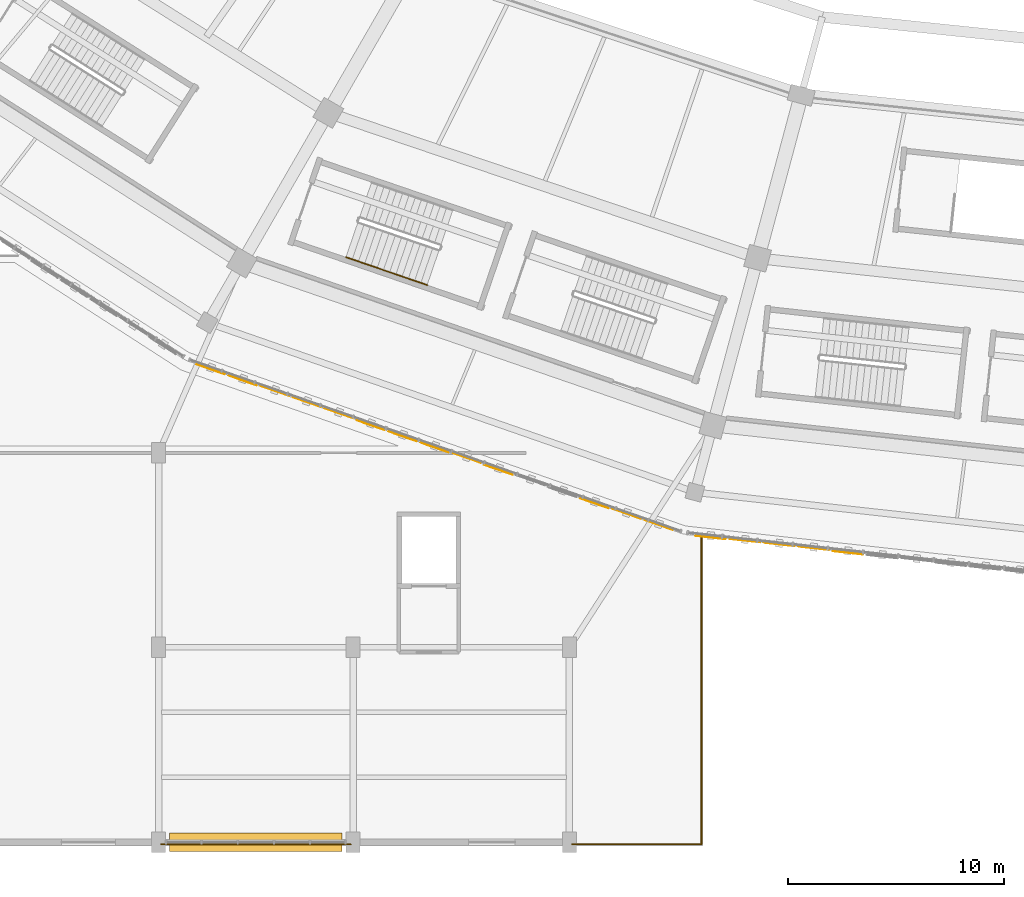
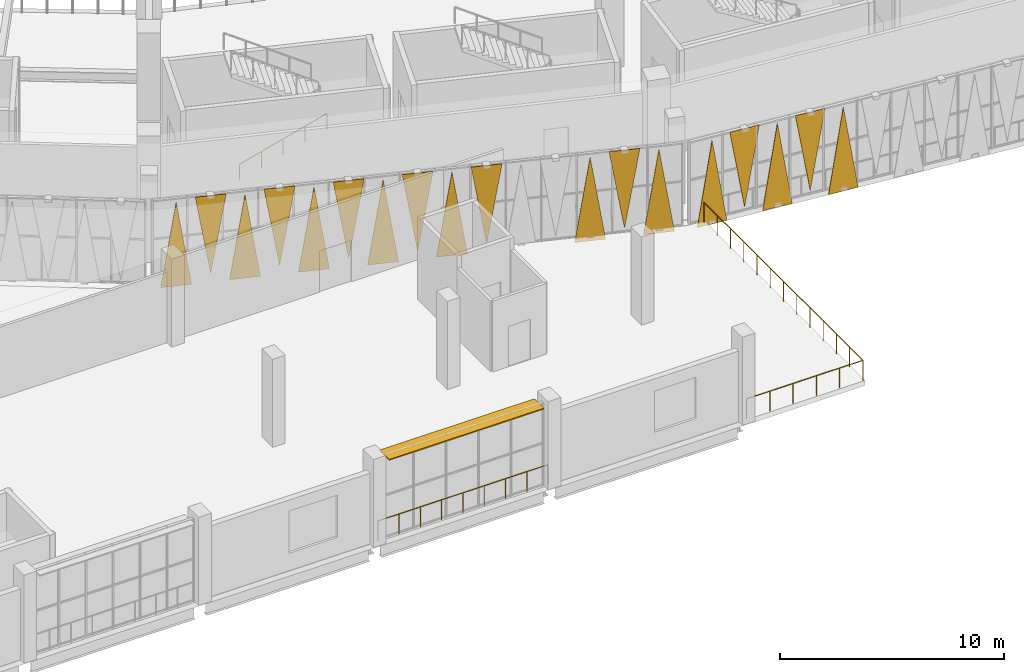
# One storey, part 131 of 179: 18 coverings, 4 railings, 1 shading device.
"""IFC4 building model written with IfcOpenShell, lengths in metres."""

from ifc_helpers import new_model, si_unit, direction, frame, origin, origin_2d, place, context, subcontext, project, spatial, polyline, rectangle, circle, outline, extrude, material, layer, layer_set, type_object, element, save


model = new_model("IFC4")

# Units and contexts
model_context = context("Model", 3, precision=1e-05, world=origin(), true_north=direction((0.0, 1.0)))
body_context = subcontext(model_context, "Body", "Model", "MODEL_VIEW")
ifc_project = project(units=[si_unit("LENGTHUNIT", "METRE"), si_unit("AREAUNIT", "SQUARE_METRE"), si_unit("VOLUMEUNIT", "CUBIC_METRE"), si_unit("PLANEANGLEUNIT", "RADIAN"), si_unit("MASSUNIT", "GRAM", prefix="KILO")], contexts=[model_context])

# Site, building, storey
site_placement = place(None, origin())
site = spatial("IfcSite", under=ifc_project, at=site_placement, CompositionType="ELEMENT")
building_placement = place(site_placement, origin())
building = spatial("IfcBuilding", under=site, at=building_placement, Name="Zevraka Park Crest Stadium", CompositionType="ELEMENT")
storey_placement = place(building_placement, frame((0.0, 0.0, 10.199951171875)))
storey = spatial("IfcBuildingStorey", under=building, at=storey_placement, Name="L02", CompositionType="ELEMENT", Elevation=10.199951171875)

# Coverings
ifc_material_1 = material(Name="Architectural golden-bronze perforated aluminium", Category="aluminium")
ifc_layer_1 = layer(ifc_material_1, 0.034912109375)
ifc_layer_set_1 = layer_set([ifc_layer_1], Name="Architectural golden-bronze perforated aluminium")
covering_type = type_object("IfcCoveringType", Name="CLD01", PredefinedType="CLADDING", material=ifc_layer_set_1)
covering_1_placement = place(storey_placement, frame((64.75, 22.110107421875, -0.239990234375), z_axis=(0.329321763981, 0.944217751341, 0.000117565237), x_axis=(0.944217757866, -0.329321766257, 0.0)))
element("IfcCovering", 1, at=covering_1_placement, inside=storey, type_object=covering_type, Name="Triangular Golden-Bronze Perforated Cladding L02-16-1", PredefinedType="CLADDING", context=body_context, shape_type="SweptSolid", body=[
    extrude(outline(polyline([(0.0, 0.0), (1.4063290467827976, 6.776263578034403e-21), (0.7034807864027698, -4.560058625263619), (0.0, 0.0)])), origin(), (0.0, 0.0, -1.0), 0.034912109375),
])
covering_2_placement = place(storey_placement, frame((67.556884765625, 21.1298828125, 4.47998046875), z_axis=(0.329940648786, 0.944001677406, 3.6504737e-05), x_axis=(-0.944001678035, 0.329940649006, 0.0)))
element("IfcCovering", 2, at=covering_2_placement, inside=storey, type_object=covering_type, Name="Triangular Golden-Bronze Perforated Cladding L02-16-2", PredefinedType="CLADDING", context=body_context, shape_type="SweptSolid", body=[
    extrude(outline(polyline([(0.0, 0.0), (1.4066509522935817, 3.3881317890172014e-21), (0.7032505175250832, -4.260009768463436), (0.0, 0.0)])), origin(), (0.0, 0.0, -1.0), 0.034912109375),
])
covering_3_placement = place(storey_placement, frame((67.7080078125, 21.077880859375, -0.239990234375), z_axis=(-0.329785968147, -0.944055726711, 8.828193e-06), x_axis=(0.944055726748, -0.32978596816, 0.0)))
element("IfcCovering", 3, at=covering_3_placement, inside=storey, type_object=covering_type, Name="Triangular Golden-Bronze Perforated Cladding L02-16-3", PredefinedType="CLADDING", context=body_context, shape_type="SweptSolid", body=[
    extrude(outline(polyline([(0.0, 0.0), (1.4065704192587192, 0.0), (0.7034004508069411, 4.560058593927699), (0.0, 0.0)])), origin(), (0.0, 0.0, -1.0), 0.034912109375),
])
covering_4_placement = place(storey_placement, frame((70.514892578125, 20.097900390625, 4.47998046875), z_axis=(-0.32932176541, -0.944217755437, 7.1732807e-05), x_axis=(-0.944217757866, 0.329321766257, 0.0)))
element("IfcCovering", 4, at=covering_4_placement, inside=storey, type_object=covering_type, Name="Triangular Golden-Bronze Perforated Cladding L02-16-4", PredefinedType="CLADDING", context=body_context, shape_type="SweptSolid", body=[
    extrude(outline(polyline([(0.0, 0.0), (1.4063290467827976, 0.0), (0.7029286612018679, 4.260009776585144), (0.0, 0.0)])), origin(), (0.0, 0.0, -1.0), 0.034912109375),
])
covering_5_placement = place(storey_placement, frame((70.666015625, 20.044921875, -0.239990234375), z_axis=(-0.329785968147, -0.944055726711, 8.828193e-06), x_axis=(0.944055726748, -0.32978596816, 0.0)))
element("IfcCovering", 5, at=covering_5_placement, inside=storey, type_object=covering_type, Name="Triangular Golden-Bronze Perforated Cladding L02-16-5", PredefinedType="CLADDING", context=body_context, shape_type="SweptSolid", body=[
    extrude(outline(polyline([(0.0, 0.0), (1.4065704192587192, 0.0), (0.7034004508069411, 4.560058593927699), (0.0, 0.0)])), origin(), (0.0, 0.0, -1.0), 0.034912109375),
])
covering_6_placement = place(storey_placement, frame((73.472900390625, 19.06494140625, 4.47998046875), z_axis=(0.329940648786, 0.944001677406, 3.6504737e-05), x_axis=(-0.944001678035, 0.329940649006, 0.0)))
element("IfcCovering", 6, at=covering_6_placement, inside=storey, type_object=covering_type, Name="Triangular Golden-Bronze Perforated Cladding L02-16-6", PredefinedType="CLADDING", context=body_context, shape_type="SweptSolid", body=[
    extrude(outline(polyline([(0.0, 0.0), (1.4066509522935817, 3.3881317890172014e-21), (0.7032505175250832, -4.260009768463436), (0.0, 0.0)])), origin(), (0.0, 0.0, -1.0), 0.034912109375),
])
covering_7_placement = place(storey_placement, frame((73.6240234375, 19.011962890625, -0.239990234375), z_axis=(0.329166977788, 0.944271725837, 9.2298959e-05), x_axis=(0.944271729859, -0.32916697919, 0.0)))
element("IfcCovering", 7, at=covering_7_placement, inside=storey, type_object=covering_type, Name="Triangular Golden-Bronze Perforated Cladding L02-16-7", PredefinedType="CLADDING", context=body_context, shape_type="SweptSolid", body=[
    extrude(outline(polyline([(0.0, 0.0), (1.4062486648553232, 0.0), (0.7034003260368679, -4.560058613173793), (0.0, 0.0)])), origin(), (0.0, 0.0, -1.0), 0.034912109375),
])
covering_8_placement = place(storey_placement, frame((76.429931640625, 18.031982421875, 4.47998046875), z_axis=(0.330157015229, 0.943926027232, 2.0255002e-05), x_axis=(-0.943926027425, 0.330157015296, 0.0)))
element("IfcCovering", 8, at=covering_8_placement, inside=storey, type_object=covering_type, Name="Triangular Golden-Bronze Perforated Cladding L02-16-8", PredefinedType="CLADDING", context=body_context, shape_type="SweptSolid", body=[
    extrude(outline(polyline([(0.0, 0.0), (1.405729112581542, 0.0), (0.7022481271950164, -4.260009766498866), (0.0, 0.0)])), origin(), (0.0, 0.0, -1.0), 0.034912109375),
])
covering_9_placement = place(storey_placement, frame((76.5810546875, 17.97900390625, -0.239990234375), z_axis=(-0.329166977201, -0.944271724154, 0.000109922205), x_axis=(0.944271729859, -0.32916697919, 0.0)))
element("IfcCovering", 9, at=covering_9_placement, inside=storey, type_object=covering_type, Name="Triangular Golden-Bronze Perforated Cladding L02-16-9", PredefinedType="CLADDING", context=body_context, shape_type="SweptSolid", body=[
    extrude(outline(polyline([(0.0, 0.0), (1.4062486648553232, 6.776263578034403e-21), (0.7030788739087529, 4.560058621299347), (0.0, 0.0)])), origin(), (0.0, 0.0, -1.0), 0.034912109375),
])
covering_10_placement = place(storey_placement, frame((79.387939453125, 16.9990234375, 4.47998046875), z_axis=(0.329785968145, 0.944055726705, 9.449996e-06), x_axis=(-0.944055726748, 0.32978596816, 0.0)))
element("IfcCovering", 10, at=covering_10_placement, inside=storey, type_object=covering_type, Name="Triangular Golden-Bronze Perforated Cladding L02-16-10", PredefinedType="CLADDING", context=body_context, shape_type="SweptSolid", body=[
    extrude(outline(polyline([(0.0, 0.0), (1.4065704192587192, 8.470329472543003e-22), (0.7031699684517781, -4.260009765815215), (0.0, 0.0)])), origin(), (0.0, 0.0, -1.0), 0.034912109375),
])
covering_11_placement = place(storey_placement, frame((82.4970703125, 15.9140625, -0.239990234375), z_axis=(0.329940648814, 0.944001677486, 3.410275e-05), x_axis=(0.944001678035, -0.329940649006, 0.0)))
element("IfcCovering", 11, at=covering_11_placement, inside=storey, type_object=covering_type, Name="Triangular Golden-Bronze Perforated Cladding L02-16-13", PredefinedType="CLADDING", context=body_context, shape_type="SweptSolid", body=[
    extrude(outline(polyline([(0.0, 0.0), (1.4066509522935817, 0.0), (0.7032505175250832, -4.560058596401669), (0.0, 0.0)])), origin(), (0.0, 0.0, -1.0), 0.034912109375),
])
covering_12_placement = place(storey_placement, frame((85.303955078125, 14.93408203125, 4.47998046875), z_axis=(-0.329785968145, -0.944055726705, 9.449996e-06), x_axis=(-0.944055726748, 0.32978596816, 0.0)))
element("IfcCovering", 12, at=covering_12_placement, inside=storey, type_object=covering_type, Name="Triangular Golden-Bronze Perforated Cladding L02-16-14", PredefinedType="CLADDING", context=body_context, shape_type="SweptSolid", body=[
    extrude(outline(polyline([(0.0, 0.0), (1.4065704192587192, 8.470329472543003e-22), (0.7034004508069411, 4.260009765815215), (0.0, 0.0)])), origin(), (0.0, 0.0, -1.0), 0.034912109375),
])
covering_13_placement = place(storey_placement, frame((85.455078125, 14.881103515625, -0.239990234375), z_axis=(-0.329321765518, -0.944217755746, 6.7012836e-05), x_axis=(0.944217757866, -0.329321766257, 0.0)))
element("IfcCovering", 13, at=covering_13_placement, inside=storey, type_object=covering_type, Name="Triangular Golden-Bronze Perforated Cladding L02-16-15", PredefinedType="CLADDING", context=body_context, shape_type="SweptSolid", body=[
    extrude(outline(polyline([(0.0, 0.0), (1.4063290467827976, 3.3881317890172014e-21), (0.7029286612018679, 4.560058603988973), (0.0, 0.0)])), origin(), (0.0, 0.0, -1.0), 0.034912109375),
])
covering_14_placement = place(storey_placement, frame((87.81005859375, 14.18505859375, -0.239990234375), z_axis=(0.110711073396, 0.993852626665, 0.000121237977), x_axis=(0.993852633969, -0.110711074209, 0.0)))
element("IfcCovering", 14, at=covering_14_placement, inside=storey, type_object=covering_type, Name="Triangular Golden-Bronze Perforated Cladding L02-17-1", PredefinedType="CLADDING", context=body_context, shape_type="SweptSolid", body=[
    extrude(outline(polyline([(0.0, 0.0), (1.4377937224135535, 0.0), (0.7183443198404428, -4.560058627263347), (0.0, 0.0)])), origin(), (0.0, 0.0, -1.0), 0.034912109375),
])
covering_15_placement = place(storey_placement, frame((90.826904296875, 13.85009765625, 4.47998046875), z_axis=(-0.109872351224, -0.993945705899, 1.2739525e-05), x_axis=(-0.993945705979, 0.109872351233, 0.0)))
element("IfcCovering", 15, at=covering_15_placement, inside=storey, type_object=covering_type, Name="Triangular Golden-Bronze Perforated Cladding L02-17-2", PredefinedType="CLADDING", context=body_context, shape_type="SweptSolid", body=[
    extrude(outline(polyline([(0.0, 0.0), (1.4376590889512042, -4.235164736271502e-22), (0.7182094760086675, 4.260009765970691), (0.0, 0.0)])), origin(), (0.0, 0.0, -1.0), 0.034912109375),
])
covering_16_placement = place(storey_placement, frame((90.986083984375, 13.83203125, -0.239990234375), z_axis=(-0.110543348043, -0.993871299685, 8.8693756e-05), x_axis=(0.993871303594, -0.110543348478, 0.0)))
element("IfcCovering", 16, at=covering_16_placement, inside=storey, type_object=covering_type, Name="Triangular Golden-Bronze Perforated Cladding L02-17-3", PredefinedType="CLADDING", context=body_context, shape_type="SweptSolid", body=[
    extrude(outline(polyline([(0.0, 0.0), (1.4377667138168417, 1.6940658945086007e-21), (0.719206841266984, 4.560058611686038), (0.0, 0.0)])), origin(), (0.0, 0.0, -1.0), 0.034912109375),
])
covering_17_placement = place(storey_placement, frame((94.0029296875, 13.4970703125, 4.47998046875), z_axis=(-0.110543347592, -0.993871295634, 0.000126558535), x_axis=(-0.993871303594, 0.110543348478, 0.0)))
element("IfcCovering", 17, at=covering_17_placement, inside=storey, type_object=covering_type, Name="Triangular Golden-Bronze Perforated Cladding L02-17-4", PredefinedType="CLADDING", context=body_context, shape_type="SweptSolid", body=[
    extrude(outline(polyline([(0.0, 0.0), (1.4377667138168417, 3.3881317890172014e-21), (0.7182092756998811, 4.260009799741423), (0.0, 0.0)])), origin(), (0.0, 0.0, -1.0), 0.034912109375),
])
covering_18_placement = place(storey_placement, frame((94.162109375, 13.47998046875, -0.239990234375), z_axis=(0.110468774198, 0.993879585984, 0.000135985296), x_axis=(0.993879595173, -0.110468775219, 0.0)))
element("IfcCovering", 18, at=covering_18_placement, inside=storey, type_object=covering_type, Name="Triangular Golden-Bronze Perforated Cladding L02-17-5", PredefinedType="CLADDING", context=body_context, shape_type="SweptSolid", body=[
    extrude(outline(polyline([(0.0, 0.0), (1.4387372953117465, 0.0), (0.7193147492526656, -4.560058635912304), (0.0, 0.0)])), origin(), (0.0, 0.0, -1.0), 0.034912109375),
])

# Railings
ifc_material_2 = material(Name="Galvanised and bronze-finished steel balustrade", Category="steel")
railing_type_1 = type_object("IfcRailingType", Name="GR01", PredefinedType="GUARDRAIL", material=ifc_material_2)
railing_1_placement = place(storey_placement, frame((88.10498046875, 14.076904296875, 0.0)))
element("IfcRailing", 19, at=railing_1_placement, inside=storey, type_object=railing_type_1, Name="Deck Edge Protection Guardrail GR01 L02-35", PredefinedType="GUARDRAIL", context=body_context, shape_type="SweptSolid", body=[
    extrude(circle(Radius=0.02392578125, at=origin_2d()), frame((0.0, 0.0, 1.076171875), z_axis=(0.0, -1.0, 0.0), x_axis=(1.0, 0.0, 0.0)), (0.0, 0.0, 1.0), 14.181884765625),
    extrude(circle(Radius=0.02099609375, at=origin_2d()), origin(), (0.0, 0.0, 1.0), 1.052001953125),
    extrude(circle(Radius=0.02099609375, at=origin_2d()), frame((0.0, -1.181884765625, 0.0)), (0.0, 0.0, 1.0), 1.052001953125),
    extrude(circle(Radius=0.02099609375, at=origin_2d()), frame((0.0, -2.36376953125, 0.0)), (0.0, 0.0, 1.0), 1.052001953125),
    extrude(circle(Radius=0.02099609375, at=origin_2d()), frame((0.0, -3.54541015625, 0.0)), (0.0, 0.0, 1.0), 1.052001953125),
    extrude(circle(Radius=0.02099609375, at=origin_2d()), frame((0.0, -4.727294921875, 0.0)), (0.0, 0.0, 1.0), 1.052001953125),
    extrude(circle(Radius=0.02099609375, at=origin_2d()), frame((0.0, -5.9091796875, 0.0)), (0.0, 0.0, 1.0), 1.052001953125),
    extrude(circle(Radius=0.02099609375, at=origin_2d()), frame((0.0, -7.0908203125, 0.0)), (0.0, 0.0, 1.0), 1.052001953125),
    extrude(circle(Radius=0.02099609375, at=origin_2d()), frame((0.0, -8.272705078125, 0.0)), (0.0, 0.0, 1.0), 1.052001953125),
    extrude(circle(Radius=0.02099609375, at=origin_2d()), frame((0.0, -9.45458984375, 0.0)), (0.0, 0.0, 1.0), 1.052001953125),
    extrude(circle(Radius=0.02099609375, at=origin_2d()), frame((0.0, -10.636474609375, 0.0)), (0.0, 0.0, 1.0), 1.052001953125),
    extrude(circle(Radius=0.02099609375, at=origin_2d()), frame((0.0, -11.818359375, 0.0)), (0.0, 0.0, 1.0), 1.052001953125),
    extrude(circle(Radius=0.02099609375, at=origin_2d()), frame((0.0, -13.0, 0.0)), (0.0, 0.0, 1.0), 1.052001953125),
    extrude(circle(Radius=0.02099609375, at=origin_2d()), frame((0.0, -14.181884765625, 0.0)), (0.0, 0.0, 1.0), 1.052001953125),
])
railing_2_placement = place(storey_placement, frame((88.10498046875, -0.10498046875, 0.0)))
element("IfcRailing", 20, at=railing_2_placement, inside=storey, type_object=railing_type_1, Name="Deck Edge Protection Guardrail GR01 L02-36", PredefinedType="GUARDRAIL", context=body_context, shape_type="SweptSolid", body=[
    extrude(circle(Radius=0.02392578125, at=origin_2d()), frame((0.0, 0.0, 1.076171875), z_axis=(-1.0, 0.0, 0.0), x_axis=(0.0, -1.0, 0.0)), (0.0, 0.0, 1.0), 5.989013671875),
    extrude(circle(Radius=0.02099609375, at=origin_2d()), origin(), (0.0, 0.0, 1.0), 1.052001953125),
    extrude(circle(Radius=0.02099609375, at=origin_2d()), frame((-1.19775390625, 0.0, 0.0)), (0.0, 0.0, 1.0), 1.052001953125),
    extrude(circle(Radius=0.02099609375, at=origin_2d()), frame((-2.3955078125, 0.0, 0.0)), (0.0, 0.0, 1.0), 1.052001953125),
    extrude(circle(Radius=0.02099609375, at=origin_2d()), frame((-3.593505859375, 0.0, 0.0)), (0.0, 0.0, 1.0), 1.052001953125),
    extrude(circle(Radius=0.02099609375, at=origin_2d()), frame((-4.791259765625, 0.0, 0.0)), (0.0, 0.0, 1.0), 1.052001953125),
    extrude(circle(Radius=0.02099609375, at=origin_2d()), frame((-5.989013671875, 0.0, 0.0)), (0.0, 0.0, 1.0), 1.052001953125),
])
railing_3_placement = place(storey_placement, frame((71.884033203125, -0.10498046875, 0.0)))
element("IfcRailing", 21, at=railing_3_placement, inside=storey, type_object=railing_type_1, Name="Deck Edge Protection Guardrail GR01 L02-37", PredefinedType="GUARDRAIL", context=body_context, shape_type="SweptSolid", body=[
    extrude(circle(Radius=0.02392578125, at=origin_2d()), frame((0.0, 0.0, 1.076171875), z_axis=(-1.0, 0.0, 0.0), x_axis=(0.0, -1.0, 0.0)), (0.0, 0.0, 1.0), 8.76806640625),
    extrude(circle(Radius=0.02099609375, at=origin_2d()), origin(), (0.0, 0.0, 1.0), 1.052001953125),
    extrude(circle(Radius=0.02099609375, at=origin_2d()), frame((-1.095947265625, 0.0, 0.0)), (0.0, 0.0, 1.0), 1.052001953125),
    extrude(circle(Radius=0.02099609375, at=origin_2d()), frame((-2.19189453125, 0.0, 0.0)), (0.0, 0.0, 1.0), 1.052001953125),
    extrude(circle(Radius=0.02099609375, at=origin_2d()), frame((-3.2880859375, 0.0, 0.0)), (0.0, 0.0, 1.0), 1.052001953125),
    extrude(circle(Radius=0.02099609375, at=origin_2d()), frame((-4.384033203125, 0.0, 0.0)), (0.0, 0.0, 1.0), 1.052001953125),
    extrude(circle(Radius=0.02099609375, at=origin_2d()), frame((-5.47998046875, 0.0, 0.0)), (0.0, 0.0, 1.0), 1.052001953125),
    extrude(circle(Radius=0.02099609375, at=origin_2d()), frame((-6.576171875, 0.0, 0.0)), (0.0, 0.0, 1.0), 1.052001953125),
    extrude(circle(Radius=0.02099609375, at=origin_2d()), frame((-7.672119140625, 0.0, 0.0)), (0.0, 0.0, 1.0), 1.052001953125),
    extrude(circle(Radius=0.02099609375, at=origin_2d()), frame((-8.76806640625, 0.0, 0.0)), (0.0, 0.0, 1.0), 1.052001953125),
])
ifc_material_3 = material(Name="Brushed stainless steel continuous handrail", Category="steel")
railing_type_2 = type_object("IfcRailingType", Name="HR01", PredefinedType="HANDRAIL", material=ifc_material_3)
railing_4_placement = place(storey_placement, frame((71.66748046875, 27.041259765625, 0.17138671875)))
element("IfcRailing", 22, at=railing_4_placement, inside=storey, type_object=railing_type_2, Name="L02 ST17 stair handrail 1", PredefinedType="HANDRAIL", context=body_context, shape_type="SweptSolid", body=[
    extrude(circle(Radius=0.02392578125, at=origin_2d()), frame((0.0, 0.0, 0.8759765625), z_axis=(0.824700437274, -0.282397097143, 0.490021497779), x_axis=(0.323957490722, 0.946071637988, 0.0)), (0.0, 0.0, 1.0), 4.54833984375),
    extrude(circle(Radius=0.02099609375, at=origin_2d()), origin(), (0.0, 0.0, 1.0), 0.851806640625),
    extrude(circle(Radius=0.02099609375, at=origin_2d()), frame((0.937744140625, -0.321044921875, 0.55712890625)), (0.0, 0.0, 1.0), 0.851806640625),
    extrude(circle(Radius=0.02099609375, at=origin_2d()), frame((1.87548828125, -0.64208984375, 1.1142578125)), (0.0, 0.0, 1.0), 0.851806640625),
    extrude(circle(Radius=0.02099609375, at=origin_2d()), frame((2.813232421875, -0.96337890625, 1.671630859375)), (0.0, 0.0, 1.0), 0.851806640625),
    extrude(circle(Radius=0.02099609375, at=origin_2d()), frame((3.7509765625, -1.284423828125, 2.228759765625)), (0.0, 0.0, 1.0), 0.851806640625),
])

# Shading device
ifc_material_4 = material(Name="Architectural golden-bronze anodised bronze", Category="aluminium")
ifc_layer_2 = layer(ifc_material_4, 0.06005859375)
ifc_layer_set_2 = layer_set([ifc_layer_2], Name="Architectural golden-bronze anodised bronze")
shading_device_type = type_object("IfcShadingDeviceType", Name="SHD01", PredefinedType="USERDEFINED", material=ifc_layer_set_2)
shading_device_placement = place(storey_placement, frame((67.5, 0.0, 4.419921875), z_axis=(0.0, 0.0, 1.0), x_axis=(-1.0, 0.0, 0.0)))
element("IfcShadingDevice", 23, at=shading_device_placement, inside=storey, type_object=shading_device_type, Name="Wing Bronze Solar Screen SHD01 L02-SW-S1-2", ObjectType="SOLAR SCREEN", PredefinedType="USERDEFINED", context=body_context, shape_type="SweptSolid", body=[
    extrude(rectangle(XDim=7.969970703125, YDim=0.85009765625, at=origin_2d()), origin(), (0.0, 0.0, 1.0), 0.06005859375),
])

save(model, "model.ifc")
